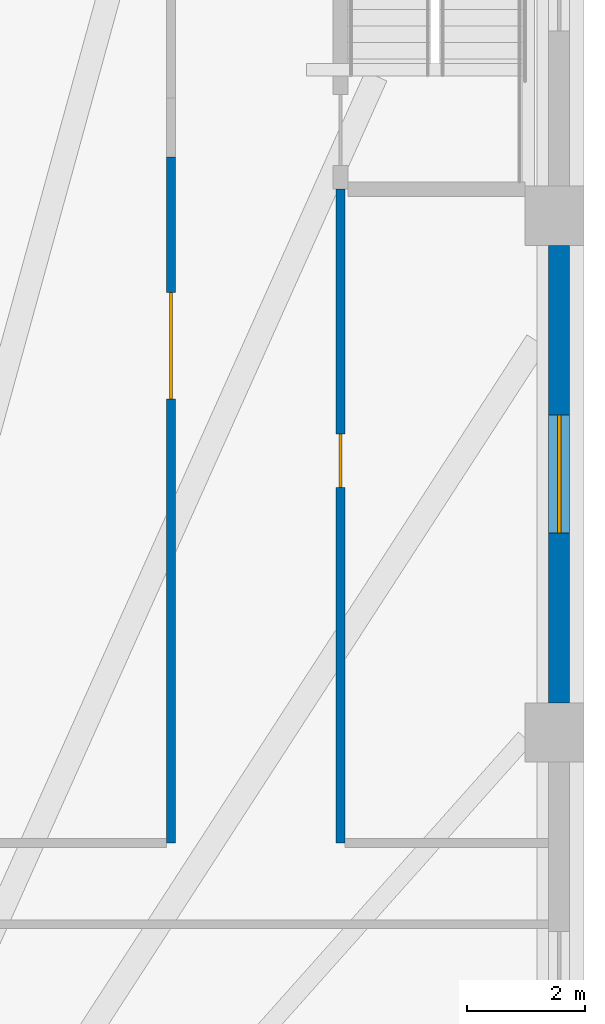
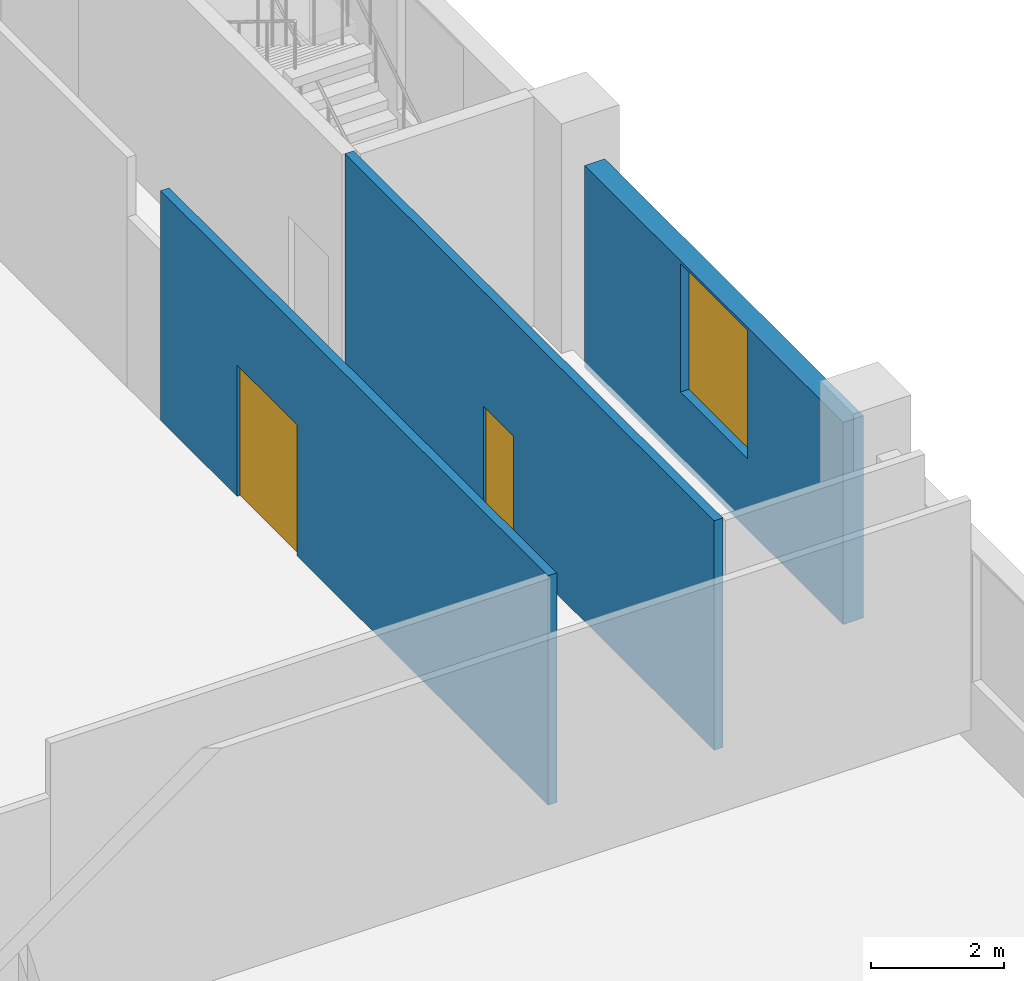
# One storey, part 22 of 32: 3 walls, 2 doors, 1 window, 3 openings.
"""IFC4 building model written with IfcOpenShell, lengths in metres."""

from ifc_helpers import new_model, si_unit, direction, frame, frame_2d, origin, place, context, subcontext, project, spatial, rectangle, extrude, material, layer, layer_set, type_object, element, fill, save


model = new_model("IFC4")

# Units and contexts
model_context = context("Model", 3, precision=1e-05, world=origin(), true_north=direction((0.0, 1.0)))
body_context = subcontext(model_context, "Body", "Model", "MODEL_VIEW")
ifc_project = project(units=[si_unit("LENGTHUNIT", "METRE"), si_unit("AREAUNIT", "SQUARE_METRE"), si_unit("VOLUMEUNIT", "CUBIC_METRE"), si_unit("PLANEANGLEUNIT", "RADIAN"), si_unit("MASSUNIT", "GRAM", prefix="KILO")], contexts=[model_context])

# Site, building, storey
site_placement = place(None, origin())
site = spatial("IfcSite", under=ifc_project, at=site_placement, CompositionType="ELEMENT")
building_placement = place(site_placement, origin())
building = spatial("IfcBuilding", under=site, at=building_placement, Name="Isthmus Gate Tower", CompositionType="ELEMENT")
storey_placement = place(building_placement, frame((0.0, 0.0, 18.0)))
storey = spatial("IfcBuildingStorey", under=building, at=storey_placement, Name="L02", CompositionType="ELEMENT", Elevation=18.0)

# Wall, opening, door
ifc_material_1 = material(Name="Fire-rated gypsum board on steel studs", Category="steel")
ifc_layer_1 = layer(ifc_material_1, 0.14990234375)
ifc_layer_set_1 = layer_set([ifc_layer_1], Name="Fire-rated partition 150 EI 60")
wall_type_1 = type_object("IfcWallType", Name="Fire-rated partition 150 EI 60", PredefinedType="PARTITIONING", material=ifc_layer_set_1)
wall_1_placement = place(storey_placement, frame((45.0, 15.62939453125, 0.0), z_axis=(0.0, 0.0, 1.0), x_axis=(0.0, 1.0, 0.0)))
wall_1 = element("IfcWall", 1, at=wall_1_placement, inside=storey, type_object=wall_type_1, Name="Fire-rated partition", PredefinedType="PARTITIONING", context=body_context, shape_type="SweptSolid", body=[
    extrude(rectangle(XDim=11.613525390625, YDim=0.14990234375, at=frame_2d((5.806640625, 0.0))), origin(), (0.0, 0.0, 1.0), 4.199951171875),
])
opening_1_placement = place(wall_1_placement, frame((7.520751953125, 0.0, 0.0)))
opening_1 = element("IfcOpeningElement", 2, at=opening_1_placement, cuts=wall_1, Name="Opening DP02-11", PredefinedType="OPENING", context=body_context, shape_type="SweptSolid", body=[
    extrude(rectangle(XDim=1.800048828125, YDim=2.39990234375, at=frame_2d((0.89990234375, 1.199951171875))), frame((0.0, 0.0849609375, 0.0), z_axis=(0.0, -1.0, 0.0), x_axis=(1.0, 0.0, 0.0)), (0.0, 0.0, 1.0), 0.169921875),
])
ifc_material_2 = material(Name="Steel fire doors with intumescent seals", Category="steel")
door_type_1 = type_object("IfcDoorType", Name="Double fire door 1800 x 2400", OperationType="DOUBLE_DOOR_SINGLE_SWING", PredefinedType="DOOR", material=ifc_material_2)
door_1_placement = place(opening_1_placement, origin())
door_1 = element("IfcDoor", 3, at=door_1_placement, inside=storey, type_object=door_type_1, Name="Door DP02-11", OperationType="SINGLE_SWING_LEFT", OverallHeight=2.39990234375, OverallWidth=1.800048828125, PredefinedType="DOOR", context=body_context, shape_type="SweptSolid", body=[
    extrude(rectangle(XDim=1.800048828125, YDim=2.39990234375, at=frame_2d((0.89990234375, 1.199951171875))), frame((0.0, 0.02490234375, 0.0), z_axis=(0.0, -1.0, 0.0), x_axis=(1.0, 0.0, 0.0)), (0.0, 0.0, 1.0), 0.050048828125),
])
fill(opening_1, door_1)

wall_2_placement = place(storey_placement, frame((47.875, 15.62939453125, 0.0), z_axis=(0.0, 0.0, 1.0), x_axis=(0.0, 1.0, 0.0)))
wall_2 = element("IfcWall", 4, at=wall_2_placement, inside=storey, type_object=wall_type_1, Name="Fire-rated partition", PredefinedType="PARTITIONING", context=body_context, shape_type="SweptSolid", body=[
    extrude(rectangle(XDim=11.070556640625, YDim=0.14990234375, at=frame_2d((5.53515625, 0.0))), origin(), (0.0, 0.0, 1.0), 4.199951171875),
])
opening_2_placement = place(wall_2_placement, frame((6.020751953125, 0.0, 0.0)))
opening_2 = element("IfcOpeningElement", 5, at=opening_2_placement, cuts=wall_2, Name="Opening DP02-05", PredefinedType="OPENING", context=body_context, shape_type="SweptSolid", body=[
    extrude(rectangle(XDim=0.89990234375, YDim=2.10009765625, at=frame_2d((0.449951171875, 1.050048828125))), frame((0.0, 0.0849609375, 0.0), z_axis=(0.0, -1.0, 0.0), x_axis=(1.0, 0.0, 0.0)), (0.0, 0.0, 1.0), 0.169921875),
])
ifc_material_3 = material(Name="Steel fire door with intumescent seals", Category="steel")
door_type_2 = type_object("IfcDoorType", Name="Fire door 900 x 2100", OperationType="SINGLE_SWING_LEFT", PredefinedType="DOOR", material=ifc_material_3)
door_2_placement = place(opening_2_placement, origin())
door_2 = element("IfcDoor", 6, at=door_2_placement, inside=storey, type_object=door_type_2, Name="Door DP02-05", OperationType="SINGLE_SWING_LEFT", OverallHeight=2.10009765625, OverallWidth=0.89990234375, PredefinedType="DOOR", context=body_context, shape_type="SweptSolid", body=[
    extrude(rectangle(XDim=0.89990234375, YDim=2.10009765625, at=frame_2d((0.449951171875, 1.050048828125))), frame((0.0, 0.02490234375, 0.0), z_axis=(0.0, -1.0, 0.0), x_axis=(1.0, 0.0, 0.0)), (0.0, 0.0, 1.0), 0.050048828125),
])
fill(opening_2, door_2)

# Wall, opening, window
ifc_material_4 = material(Name="Precast concrete C40/50, limestone-faced", Category="masonry")
ifc_layer_2 = layer(ifc_material_4, 0.35009765625)
ifc_layer_set_2 = layer_set([ifc_layer_2], Name="PODIUM CLADDING WALL 350")
wall_type_2 = type_object("IfcWallType", Name="PODIUM CLADDING WALL 350", PredefinedType="SOLIDWALL", material=ifc_layer_set_2)
wall_3_placement = place(storey_placement, frame((51.574951171875, 18.0, -0.39990234375), z_axis=(0.0, 0.0, 1.0), x_axis=(0.0, 1.0, 0.0)))
wall_3 = element("IfcWall", 7, at=wall_3_placement, inside=storey, type_object=wall_type_2, Name="PODIUM WALL", PredefinedType="SOLIDWALL", context=body_context, shape_type="SweptSolid", body=[
    extrude(rectangle(XDim=7.75, YDim=0.35009765625, at=frame_2d((3.875, 0.0))), origin(), (0.0, 0.0, 1.0), 3.699951171875),
])
opening_3_placement = place(wall_3_placement, frame((2.875, 0.0, 1.300048828125)))
opening_3 = element("IfcOpeningElement", 8, at=opening_3_placement, cuts=wall_3, Name="Opening W015", PredefinedType="OPENING", context=body_context, shape_type="SweptSolid", body=[
    extrude(rectangle(XDim=2.0, YDim=2.35009765625, at=frame_2d((1.0, 1.175048828125))), frame((0.0, 0.18505859375, 0.0), z_axis=(0.0, -1.0, 0.0), x_axis=(1.0, 0.0, 0.0)), (0.0, 0.0, 1.0), 0.3701171875),
])
ifc_material_5 = material(Name="Aluminium, pale champagne anodised, laminated glass", Category="aluminium")
window_type = type_object("IfcWindowType", Name="PODIUM SLOT WINDOW 2000 X 2350", PartitioningType="SINGLE_PANEL", PredefinedType="WINDOW", material=ifc_material_5)
window_placement = place(opening_3_placement, origin())
window = element("IfcWindow", 9, at=window_placement, inside=storey, type_object=window_type, Name="SLOT WINDOW", OverallHeight=2.35009765625, OverallWidth=2.0, PartitioningType="SINGLE_PANEL", PredefinedType="WINDOW", context=body_context, shape_type="SweptSolid", body=[
    extrude(rectangle(XDim=2.0, YDim=2.35009765625, at=frame_2d((1.0, 1.175048828125))), frame((0.0, 0.030029296875, 0.0), z_axis=(0.0, -1.0, 0.0), x_axis=(1.0, 0.0, 0.0)), (0.0, 0.0, 1.0), 0.06005859375),
])
fill(opening_3, window)

save(model, "model.ifc")
